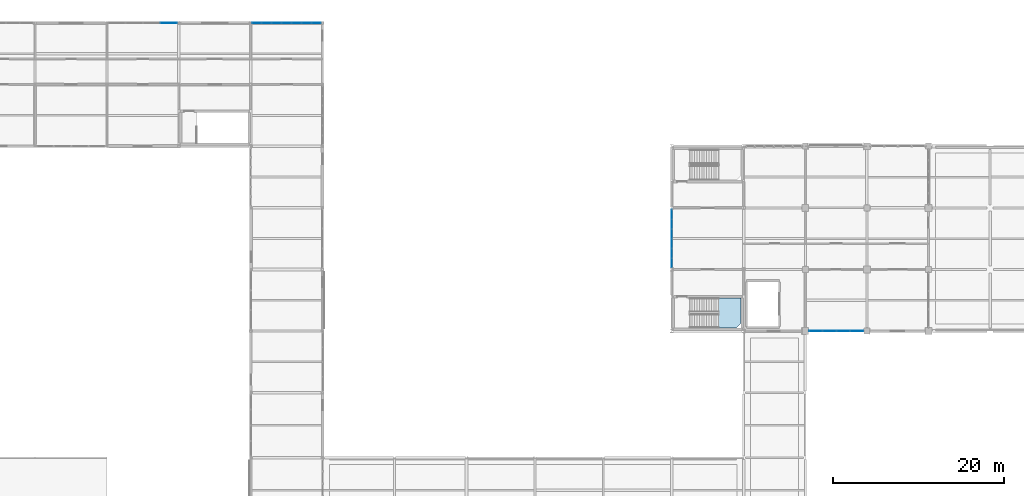
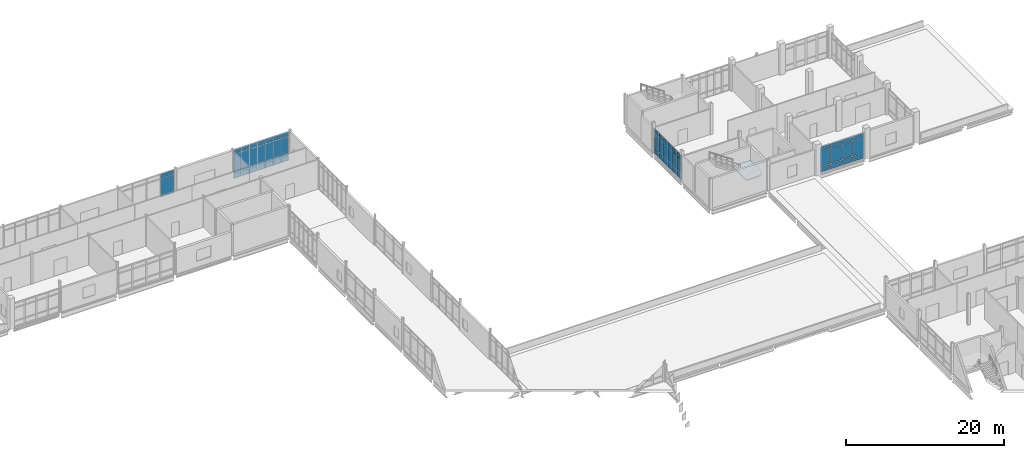
# One storey, part 103 of 153: 53 plates, 1 slab, 5 elements without a shape of their own.
"""IFC4 building model written with IfcOpenShell, lengths in metres."""

import ifcopenshell
import ifcopenshell.guid

model = None  # the IFC model being written
_history = None  # IfcOwnerHistory: only IFC2X3 demands one
_inside = {}  # id of a spatial element -> (the spatial element, [elements in it])
_under = {}  # id of a project, library or spatial element -> (it, [spatial elements below it])
_declared = {}  # id of a project -> (the project, [libraries it declares])
_typed = {}  # id of a type object -> (the type object, [elements of that type])
_made_of = {}  # id of a material, layer set ... -> (it, [elements and type objects made of it])


def new_model(schema):
    """Start an empty IFC model of exactly this schema.

    Asked for "IFC4X3", IfcOpenShell would pick the latest addendum, in which some entities
    have other attributes; the version numbers below select the first issue.
    IFC2X3 requires an IfcOwnerHistory on every rooted entity: one is made here for all.
    """
    global model, _history
    if schema == "IFC4X3":
        model = ifcopenshell.file(schema_version=(4, 3, 0, 0))
    else:
        model = ifcopenshell.file(schema=schema)
    _inside.clear()
    _under.clear()
    _declared.clear()
    _typed.clear()
    _made_of.clear()
    _history = None
    if model.schema == "IFC2X3":
        org = make("IfcOrganization", Name="unknown")
        user = make(
            "IfcPersonAndOrganization",
            ThePerson=make("IfcPerson", FamilyName="unknown"),
            TheOrganization=org,
        )
        app = make(
            "IfcApplication",
            ApplicationDeveloper=org,
            Version="unknown",
            ApplicationFullName="unknown",
            ApplicationIdentifier="unknown",
        )
        _history = make(
            "IfcOwnerHistory",
            OwningUser=user,
            OwningApplication=app,
            ChangeAction="ADDED",
            CreationDate=0,
        )
    return model


def make(cls, **values):
    """One entity of the class cls with the attributes given. An attribute that is None is left unset."""
    return model.create_entity(
        cls, **{name: value for name, value in values.items() if value is not None}
    )


def rooted(cls, **values):
    """An entity with a GlobalId (a new one), such as an element, a storey or a relation."""
    return make(cls, GlobalId=ifcopenshell.guid.new(), OwnerHistory=_history, **values)


def si_unit(unit_type, name, prefix=None):
    """IfcSIUnit, for example si_unit("LENGTHUNIT", "METRE", prefix="MILLI")."""
    return make("IfcSIUnit", UnitType=unit_type, Prefix=prefix, Name=name)


def assignment(units):
    """IfcUnitAssignment: the units of a project."""
    return None if units is None else make("IfcUnitAssignment", Units=units)


def point(xyz):
    """IfcCartesianPoint."""
    return None if xyz is None else make("IfcCartesianPoint", Coordinates=xyz)


def direction(xyz):
    """IfcDirection."""
    return None if xyz is None else make("IfcDirection", DirectionRatios=xyz)


def frame(location, z_axis=None, x_axis=None):
    """IfcAxis2Placement3D, a coordinate frame: its origin and axes. An axis left out is left unset."""
    return make(
        "IfcAxis2Placement3D",
        Location=point(location),
        Axis=direction(z_axis),
        RefDirection=direction(x_axis),
    )


def frame_2d(location, x_axis=None):
    """IfcAxis2Placement2D, a coordinate frame in the plane: its origin and x axis."""
    return make(
        "IfcAxis2Placement2D", Location=point(location), RefDirection=direction(x_axis)
    )


def origin():
    """The frame at (0, 0, 0) with its axes left unset."""
    return frame((0.0, 0.0, 0.0))


def origin_2d():
    """The frame at (0, 0) in the plane with its x axis left unset."""
    return frame_2d((0.0, 0.0))


def place(relative_to, where):
    """IfcLocalPlacement: puts the frame where relative to a parent placement (None: the world)."""
    return make(
        "IfcLocalPlacement", PlacementRelTo=relative_to, RelativePlacement=where
    )


def context(
    kind, dimensions, precision=None, world=None, true_north=None, identifier=None
):
    """IfcGeometricRepresentationContext, for example the 3D "Model" context."""
    return make(
        "IfcGeometricRepresentationContext",
        ContextIdentifier=identifier,
        ContextType=kind,
        CoordinateSpaceDimension=dimensions,
        Precision=precision,
        WorldCoordinateSystem=world,
        TrueNorth=true_north,
    )


def subcontext(parent, identifier, kind, view, scale=None):
    """IfcGeometricRepresentationSubContext, for example "Body" below "Model"."""
    return make(
        "IfcGeometricRepresentationSubContext",
        ContextIdentifier=identifier,
        ContextType=kind,
        ParentContext=parent,
        TargetScale=scale,
        TargetView=view,
    )


def project(units=None, contexts=None):
    """IfcProject with its units and contexts."""
    return rooted(
        "IfcProject",
        Name="project",
        RepresentationContexts=contexts,
        UnitsInContext=assignment(units),
    )


def spatial(cls, under=None, at=None, **own):
    """A site, building, storey or space (cls), placed at a placement, below another one or the project."""
    s = rooted(cls, ObjectPlacement=at, **own)
    if under is not None:
        _under.setdefault(under.id(), (under, []))[1].append(s)
    return s


def polyline(points):
    """IfcPolyline through the points."""
    return make("IfcPolyline", Points=[point(p) for p in points])


def profile(cls, at=None, kind="AREA", **sizes):
    """A parametric profile (cls). Its sizes go by their IFC names, for example OverallWidth=200.0."""
    return make(cls, ProfileType=kind, Position=at, **sizes)


def rectangle(**sizes):
    """IfcRectangleProfileDef."""
    return profile("IfcRectangleProfileDef", **sizes)


def outline(outer, holes=None, kind="AREA"):
    """IfcArbitraryClosedProfileDef: a profile drawn as a closed curve; with holes, ...WithVoids."""
    if holes is None:
        return make("IfcArbitraryClosedProfileDef", ProfileType=kind, OuterCurve=outer)
    return make(
        "IfcArbitraryProfileDefWithVoids",
        ProfileType=kind,
        OuterCurve=outer,
        InnerCurves=holes,
    )


def extrude(swept, where, along, depth):
    """IfcExtrudedAreaSolid: the profile swept, set in the frame where, extruded along a direction by depth."""
    return make(
        "IfcExtrudedAreaSolid",
        SweptArea=swept,
        Position=where,
        ExtrudedDirection=direction(along),
        Depth=depth,
    )


def shape(context_of_items, identifier, shape_type, items):
    """IfcShapeRepresentation: the items that make up one representation, for example the "Body"."""
    return make(
        "IfcShapeRepresentation",
        ContextOfItems=context_of_items,
        RepresentationIdentifier=identifier,
        RepresentationType=shape_type,
        Items=items,
    )


def material(Name=None, Category=None):
    """IfcMaterial."""
    return make("IfcMaterial", Name=Name, Category=Category)


def layer(
    of_material, thickness, ventilated=None, Name=None, Category=None, Priority=None
):
    """IfcMaterialLayer: one layer of a wall or slab, of a material (None: an air gap)."""
    return make(
        "IfcMaterialLayer",
        Material=of_material,
        LayerThickness=thickness,
        IsVentilated=ventilated,
        Name=Name,
        Category=Category,
        Priority=Priority,
    )


def layer_set(layers, Name=None):
    """IfcMaterialLayerSet."""
    return make("IfcMaterialLayerSet", MaterialLayers=layers, LayerSetName=Name)


def made_of(thing, what):
    """Note that an element or type object is made of a material, layer set ...; save() writes the relation."""
    if what is not None:
        _made_of.setdefault(what.id(), (what, []))[1].append(thing)
    return thing


def type_object(cls, material=None, **own):
    """A type object (cls), such as IfcWallType, which elements share."""
    return made_of(rooted(cls, **own), material)


def element(
    cls,
    number,
    at=None,
    inside=None,
    cuts=None,
    type_object=None,
    material=None,
    context=None,
    identifier="Body",
    shape_type=None,
    held_by="IfcProductDefinitionShape",
    body=None,
    shapes=None,
    **own,
):
    """One element of the class cls, such as IfcWall. Its Tag is "e" and its number.

    at: its placement. inside: the storey or other place that contains it. cuts: it is an
    opening in that element (IfcRelVoidsElement). A single representation is given by context,
    identifier, shape_type and body (its items); several are given by shapes. held_by: the class
    of the entity that holds the representations. save() writes the other relations.
    """
    e = rooted(cls, Tag="e%d" % number, ObjectPlacement=at, **own)
    if body is not None:
        shapes = [shape(context, identifier, shape_type, body)]
    if shapes is not None:
        e.Representation = make(held_by, Representations=shapes)
    if inside is not None:
        _inside.setdefault(inside.id(), (inside, []))[1].append(e)
    if cuts is not None:
        rooted(
            "IfcRelVoidsElement", RelatingBuildingElement=cuts, RelatedOpeningElement=e
        )
    if type_object is not None:
        _typed.setdefault(type_object.id(), (type_object, []))[1].append(e)
    return made_of(e, material)


def aggregate(whole, parts):
    """IfcRelAggregates: a whole, such as a stair, and the parts it consists of."""
    return rooted("IfcRelAggregates", RelatingObject=whole, RelatedObjects=parts)


def save(model, path):
    """Write the relations noted so far, then the file.

    IfcRelAggregates (storeys below a building ...), IfcRelContainedInSpatialStructure (elements
    in a storey), IfcRelDefinesByType, IfcRelAssociatesMaterial and IfcRelDeclares: one each for
    every whole, place, type object, material and project.
    """
    for whole, parts in _under.values():
        aggregate(whole, parts)
    for where, things in _inside.values():
        rooted(
            "IfcRelContainedInSpatialStructure",
            RelatedElements=things,
            RelatingStructure=where,
        )
    for kind, things in _typed.values():
        rooted("IfcRelDefinesByType", RelatedObjects=things, RelatingType=kind)
    for what, things in _made_of.values():
        rooted("IfcRelAssociatesMaterial", RelatedObjects=things, RelatingMaterial=what)
    for by, libraries in _declared.values():
        rooted("IfcRelDeclares", RelatingContext=by, RelatedDefinitions=libraries)
    model.write(path)


model = new_model("IFC4")

# Units and contexts
model_context = context("Model", 3, precision=1e-05, world=origin(), true_north=direction((0.0, 1.0)))
body_context = subcontext(model_context, "Body", "Model", "MODEL_VIEW")
ifc_project = project(units=[si_unit("LENGTHUNIT", "METRE"), si_unit("AREAUNIT", "SQUARE_METRE"), si_unit("VOLUMEUNIT", "CUBIC_METRE"), si_unit("PLANEANGLEUNIT", "RADIAN"), si_unit("MASSUNIT", "GRAM", prefix="KILO")], contexts=[model_context])

# Site, building, storey
site_placement = place(None, origin())
site = spatial("IfcSite", under=ifc_project, at=site_placement, CompositionType="ELEMENT")
building_placement = place(site_placement, origin())
building = spatial("IfcBuilding", under=site, at=building_placement, Name="Calvrana Isthmian Art Gallery", CompositionType="ELEMENT")
storey_placement = place(building_placement, frame((0.0, 0.0, 10.199951171875)))
storey = spatial("IfcBuildingStorey", under=building, at=storey_placement, Name="L02", CompositionType="ELEMENT", Elevation=10.199951171875)

# Curtain wall, plates
ifc_material_1 = material(Name="Anodized bronze aluminium 6063-T6", Category="aluminium")
ifc_layer_1 = layer(ifc_material_1, 0.179931640625, Name="Anodized bronze aluminium 6063-T6")
ifc_layer_set_1 = layer_set([ifc_layer_1], Name="Anodized bronze aluminium 6063-T6")
curtain_wall_type_1 = type_object("IfcCurtainWallType", Name="CW-STICK-068X39", PredefinedType="NOTDEFINED", material=ifc_layer_set_1)
curtain_wall_1_placement = place(storey_placement, origin())
curtain_wall_1 = element("IfcCurtainWall", 1, at=curtain_wall_1_placement, inside=storey, type_object=curtain_wall_type_1, Name="Curtain wall CW-180", PredefinedType="NOTDEFINED")
ifc_material_2 = material(Name="Polychrome glazed terracotta", Category="masonry")
ifc_layer_2 = layer(ifc_material_2, 0.033935546875, Name="Polychrome glazed terracotta")
ifc_layer_set_2 = layer_set([ifc_layer_2], Name="Polychrome glazed terracotta")
plate_type_1 = type_object("IfcPlateType", Name="CWP-SPANDREL-34", PredefinedType="CURTAIN_PANEL", material=ifc_layer_set_2)
plate_1_placement = place(storey_placement, frame((104.39990234375, 84.76611328125, 0.06005859375), z_axis=(0.0, 0.0, 1.0), x_axis=(0.0, 1.0, 0.0)))
plate_1 = element("IfcPlate", 2, at=plate_1_placement, type_object=plate_type_1, Name="CW-180 panel 1.1", PredefinedType="CURTAIN_PANEL", context=body_context, shape_type="SweptSolid", body=[
    extrude(rectangle(XDim=1.049072265625, YDim=0.033935546875, at=origin_2d()), origin(), (0.0, 0.0, 1.0), 0.81005859375),
])
plate_2_placement = place(storey_placement, frame((104.39990234375, 84.76611328125, 0.93017578125), z_axis=(0.0, 0.0, 1.0), x_axis=(0.0, 1.0, 0.0)))
plate_2 = element("IfcPlate", 3, at=plate_2_placement, type_object=plate_type_1, Name="CW-180 panel 1.2", PredefinedType="CURTAIN_PANEL", context=body_context, shape_type="SweptSolid", body=[
    extrude(rectangle(XDim=1.049072265625, YDim=0.033935546875, at=origin_2d()), origin(), (0.0, 0.0, 1.0), 2.218017578125),
])
plate_3_placement = place(storey_placement, frame((104.39990234375, 84.76611328125, 3.2080078125), z_axis=(0.0, 0.0, 1.0), x_axis=(0.0, 1.0, 0.0)))
plate_3 = element("IfcPlate", 4, at=plate_3_placement, type_object=plate_type_1, Name="CW-180 panel 1.3", PredefinedType="CURTAIN_PANEL", context=body_context, shape_type="SweptSolid", body=[
    extrude(rectangle(XDim=1.049072265625, YDim=0.033935546875, at=origin_2d()), origin(), (0.0, 0.0, 1.0), 0.659912109375),
])
plate_4_placement = place(storey_placement, frame((104.39990234375, 85.89013671875, 0.06005859375), z_axis=(0.0, 0.0, 1.0), x_axis=(0.0, 1.0, 0.0)))
plate_4 = element("IfcPlate", 5, at=plate_4_placement, type_object=plate_type_1, Name="CW-180 panel 2.1", PredefinedType="CURTAIN_PANEL", context=body_context, shape_type="SweptSolid", body=[
    extrude(rectangle(XDim=1.0791015625, YDim=0.033935546875, at=origin_2d()), origin(), (0.0, 0.0, 1.0), 0.81005859375),
])
plate_5_placement = place(storey_placement, frame((104.39990234375, 85.89013671875, 0.93017578125), z_axis=(0.0, 0.0, 1.0), x_axis=(0.0, 1.0, 0.0)))
plate_5 = element("IfcPlate", 6, at=plate_5_placement, type_object=plate_type_1, Name="CW-180 panel 2.2", PredefinedType="CURTAIN_PANEL", context=body_context, shape_type="SweptSolid", body=[
    extrude(rectangle(XDim=1.0791015625, YDim=0.033935546875, at=origin_2d()), origin(), (0.0, 0.0, 1.0), 2.218017578125),
])
plate_6_placement = place(storey_placement, frame((104.39990234375, 85.89013671875, 3.2080078125), z_axis=(0.0, 0.0, 1.0), x_axis=(0.0, 1.0, 0.0)))
plate_6 = element("IfcPlate", 7, at=plate_6_placement, type_object=plate_type_1, Name="CW-180 panel 2.3", PredefinedType="CURTAIN_PANEL", context=body_context, shape_type="SweptSolid", body=[
    extrude(rectangle(XDim=1.0791015625, YDim=0.033935546875, at=origin_2d()), origin(), (0.0, 0.0, 1.0), 0.659912109375),
])
plate_7_placement = place(storey_placement, frame((104.39990234375, 87.029296875, 0.06005859375), z_axis=(0.0, 0.0, 1.0), x_axis=(0.0, 1.0, 0.0)))
plate_7 = element("IfcPlate", 8, at=plate_7_placement, type_object=plate_type_1, Name="CW-180 panel 3.1", PredefinedType="CURTAIN_PANEL", context=body_context, shape_type="SweptSolid", body=[
    extrude(rectangle(XDim=1.0791015625, YDim=0.033935546875, at=origin_2d()), origin(), (0.0, 0.0, 1.0), 0.81005859375),
])
plate_8_placement = place(storey_placement, frame((104.39990234375, 87.029296875, 0.93017578125), z_axis=(0.0, 0.0, 1.0), x_axis=(0.0, 1.0, 0.0)))
plate_8 = element("IfcPlate", 9, at=plate_8_placement, type_object=plate_type_1, Name="CW-180 panel 3.2", PredefinedType="CURTAIN_PANEL", context=body_context, shape_type="SweptSolid", body=[
    extrude(rectangle(XDim=1.0791015625, YDim=0.033935546875, at=origin_2d()), origin(), (0.0, 0.0, 1.0), 2.218017578125),
])
plate_9_placement = place(storey_placement, frame((104.39990234375, 87.029296875, 3.2080078125), z_axis=(0.0, 0.0, 1.0), x_axis=(0.0, 1.0, 0.0)))
plate_9 = element("IfcPlate", 10, at=plate_9_placement, type_object=plate_type_1, Name="CW-180 panel 3.3", PredefinedType="CURTAIN_PANEL", context=body_context, shape_type="SweptSolid", body=[
    extrude(rectangle(XDim=1.0791015625, YDim=0.033935546875, at=origin_2d()), origin(), (0.0, 0.0, 1.0), 0.659912109375),
])
plate_10_placement = place(storey_placement, frame((104.39990234375, 88.168212890625, 0.06005859375), z_axis=(0.0, 0.0, 1.0), x_axis=(0.0, 1.0, 0.0)))
plate_10 = element("IfcPlate", 11, at=plate_10_placement, type_object=plate_type_1, Name="CW-180 panel 4.1", PredefinedType="CURTAIN_PANEL", context=body_context, shape_type="SweptSolid", body=[
    extrude(rectangle(XDim=1.0791015625, YDim=0.033935546875, at=origin_2d()), origin(), (0.0, 0.0, 1.0), 0.81005859375),
])
plate_11_placement = place(storey_placement, frame((104.39990234375, 88.168212890625, 0.93017578125), z_axis=(0.0, 0.0, 1.0), x_axis=(0.0, 1.0, 0.0)))
plate_11 = element("IfcPlate", 12, at=plate_11_placement, type_object=plate_type_1, Name="CW-180 panel 4.2", PredefinedType="CURTAIN_PANEL", context=body_context, shape_type="SweptSolid", body=[
    extrude(rectangle(XDim=1.0791015625, YDim=0.033935546875, at=origin_2d()), origin(), (0.0, 0.0, 1.0), 2.218017578125),
])
plate_12_placement = place(storey_placement, frame((104.39990234375, 88.168212890625, 3.2080078125), z_axis=(0.0, 0.0, 1.0), x_axis=(0.0, 1.0, 0.0)))
plate_12 = element("IfcPlate", 13, at=plate_12_placement, type_object=plate_type_1, Name="CW-180 panel 4.3", PredefinedType="CURTAIN_PANEL", context=body_context, shape_type="SweptSolid", body=[
    extrude(rectangle(XDim=1.0791015625, YDim=0.033935546875, at=origin_2d()), origin(), (0.0, 0.0, 1.0), 0.659912109375),
])
plate_13_placement = place(storey_placement, frame((104.39990234375, 89.307373046875, 0.06005859375), z_axis=(0.0, 0.0, 1.0), x_axis=(0.0, 1.0, 0.0)))
plate_13 = element("IfcPlate", 14, at=plate_13_placement, type_object=plate_type_1, Name="CW-180 panel 5.1", PredefinedType="CURTAIN_PANEL", context=body_context, shape_type="SweptSolid", body=[
    extrude(rectangle(XDim=1.0791015625, YDim=0.033935546875, at=origin_2d()), origin(), (0.0, 0.0, 1.0), 0.81005859375),
])
plate_14_placement = place(storey_placement, frame((104.39990234375, 89.307373046875, 0.93017578125), z_axis=(0.0, 0.0, 1.0), x_axis=(0.0, 1.0, 0.0)))
plate_14 = element("IfcPlate", 15, at=plate_14_placement, type_object=plate_type_1, Name="CW-180 panel 5.2", PredefinedType="CURTAIN_PANEL", context=body_context, shape_type="SweptSolid", body=[
    extrude(rectangle(XDim=1.0791015625, YDim=0.033935546875, at=origin_2d()), origin(), (0.0, 0.0, 1.0), 2.218017578125),
])
plate_15_placement = place(storey_placement, frame((104.39990234375, 89.307373046875, 3.2080078125), z_axis=(0.0, 0.0, 1.0), x_axis=(0.0, 1.0, 0.0)))
plate_15 = element("IfcPlate", 16, at=plate_15_placement, type_object=plate_type_1, Name="CW-180 panel 5.3", PredefinedType="CURTAIN_PANEL", context=body_context, shape_type="SweptSolid", body=[
    extrude(rectangle(XDim=1.0791015625, YDim=0.033935546875, at=origin_2d()), origin(), (0.0, 0.0, 1.0), 0.659912109375),
])
plate_16_placement = place(storey_placement, frame((104.39990234375, 90.431396484375, 0.06005859375), z_axis=(0.0, 0.0, 1.0), x_axis=(0.0, 1.0, 0.0)))
plate_16 = element("IfcPlate", 17, at=plate_16_placement, type_object=plate_type_1, Name="CW-180 panel 6.1", PredefinedType="CURTAIN_PANEL", context=body_context, shape_type="SweptSolid", body=[
    extrude(rectangle(XDim=1.049072265625, YDim=0.033935546875, at=origin_2d()), origin(), (0.0, 0.0, 1.0), 0.81005859375),
])
plate_17_placement = place(storey_placement, frame((104.39990234375, 90.431396484375, 0.93017578125), z_axis=(0.0, 0.0, 1.0), x_axis=(0.0, 1.0, 0.0)))
plate_17 = element("IfcPlate", 18, at=plate_17_placement, type_object=plate_type_1, Name="CW-180 panel 6.2", PredefinedType="CURTAIN_PANEL", context=body_context, shape_type="SweptSolid", body=[
    extrude(rectangle(XDim=1.049072265625, YDim=0.033935546875, at=origin_2d()), origin(), (0.0, 0.0, 1.0), 2.218017578125),
])
plate_18_placement = place(storey_placement, frame((104.39990234375, 90.431396484375, 3.2080078125), z_axis=(0.0, 0.0, 1.0), x_axis=(0.0, 1.0, 0.0)))
plate_18 = element("IfcPlate", 19, at=plate_18_placement, type_object=plate_type_1, Name="CW-180 panel 6.3", PredefinedType="CURTAIN_PANEL", context=body_context, shape_type="SweptSolid", body=[
    extrude(rectangle(XDim=1.049072265625, YDim=0.033935546875, at=origin_2d()), origin(), (0.0, 0.0, 1.0), 0.659912109375),
])
aggregate(curtain_wall_1, [plate_1, plate_2, plate_3, plate_4, plate_5, plate_6, plate_7, plate_8, plate_9, plate_10, plate_11, plate_12, plate_13, plate_14, plate_15, plate_16, plate_17, plate_18])

ifc_layer_3 = layer(ifc_material_1, 0.179931640625, Name="Anodized bronze aluminium 6063-T6")
ifc_layer_set_3 = layer_set([ifc_layer_3], Name="Anodized bronze aluminium 6063-T6")
curtain_wall_type_2 = type_object("IfcCurtainWallType", Name="CW-STICK-065X40", PredefinedType="NOTDEFINED", material=ifc_layer_set_3)
curtain_wall_2_placement = place(storey_placement, origin())
curtain_wall_2 = element("IfcCurtainWall", 20, at=curtain_wall_2_placement, inside=storey, type_object=curtain_wall_type_2, Name="Curtain wall CW-157", PredefinedType="NOTDEFINED")
ifc_material_3 = material(Name="Low-E laminated solar glass", Category="glass")
ifc_layer_4 = layer(ifc_material_3, 0.028076171875, Name="Low-E laminated solar glass")
ifc_layer_set_4 = layer_set([ifc_layer_4], Name="Low-E laminated solar glass")
plate_type_2 = type_object("IfcPlateType", Name="CWP-VISION-28", PredefinedType="CURTAIN_PANEL", material=ifc_layer_set_4)
plate_19_placement = place(storey_placement, frame((126.02880859375, 76.800048828125, 0.06494140625), z_axis=(0.0, 0.0, 1.0), x_axis=(-1.0, 0.0, 0.0)))
plate_19 = element("IfcPlate", 21, at=plate_19_placement, type_object=plate_type_2, Name="CW-157 panel 1.1", PredefinedType="CURTAIN_PANEL", context=body_context, shape_type="SweptSolid", body=[
    extrude(rectangle(XDim=1.5224609375, YDim=0.028076171875, at=origin_2d()), origin(), (0.0, 0.0, 1.0), 0.802490234375),
])
plate_20_placement = place(storey_placement, frame((126.02880859375, 76.800048828125, 0.9326171875), z_axis=(0.0, 0.0, 1.0), x_axis=(-1.0, 0.0, 0.0)))
plate_20 = element("IfcPlate", 22, at=plate_20_placement, type_object=plate_type_2, Name="CW-157 panel 1.2", PredefinedType="CURTAIN_PANEL", context=body_context, shape_type="SweptSolid", body=[
    extrude(rectangle(XDim=1.5224609375, YDim=0.028076171875, at=origin_2d()), origin(), (0.0, 0.0, 1.0), 2.27587890625),
])
plate_21_placement = place(storey_placement, frame((126.02880859375, 76.800048828125, 3.2734375), z_axis=(0.0, 0.0, 1.0), x_axis=(-1.0, 0.0, 0.0)))
plate_21 = element("IfcPlate", 23, at=plate_21_placement, type_object=plate_type_2, Name="CW-157 panel 1.3", PredefinedType="CURTAIN_PANEL", context=body_context, shape_type="SweptSolid", body=[
    extrude(rectangle(XDim=1.5224609375, YDim=0.028076171875, at=origin_2d()), origin(), (0.0, 0.0, 1.0), 0.652587890625),
])
plate_22_placement = place(storey_placement, frame((124.43115234375, 76.800048828125, 0.06494140625), z_axis=(0.0, 0.0, 1.0), x_axis=(-1.0, 0.0, 0.0)))
plate_22 = element("IfcPlate", 24, at=plate_22_placement, type_object=plate_type_2, Name="CW-157 panel 2.1", PredefinedType="CURTAIN_PANEL", context=body_context, shape_type="SweptSolid", body=[
    extrude(rectangle(XDim=1.552490234375, YDim=0.028076171875, at=origin_2d()), origin(), (0.0, 0.0, 1.0), 0.802490234375),
])
plate_23_placement = place(storey_placement, frame((124.43115234375, 76.800048828125, 0.9326171875), z_axis=(0.0, 0.0, 1.0), x_axis=(-1.0, 0.0, 0.0)))
plate_23 = element("IfcPlate", 25, at=plate_23_placement, type_object=plate_type_2, Name="CW-157 panel 2.2", PredefinedType="CURTAIN_PANEL", context=body_context, shape_type="SweptSolid", body=[
    extrude(rectangle(XDim=1.552490234375, YDim=0.028076171875, at=origin_2d()), origin(), (0.0, 0.0, 1.0), 2.27587890625),
])
plate_24_placement = place(storey_placement, frame((124.43115234375, 76.800048828125, 3.2734375), z_axis=(0.0, 0.0, 1.0), x_axis=(-1.0, 0.0, 0.0)))
plate_24 = element("IfcPlate", 26, at=plate_24_placement, type_object=plate_type_2, Name="CW-157 panel 2.3", PredefinedType="CURTAIN_PANEL", context=body_context, shape_type="SweptSolid", body=[
    extrude(rectangle(XDim=1.552490234375, YDim=0.028076171875, at=origin_2d()), origin(), (0.0, 0.0, 1.0), 0.652587890625),
])
plate_25_placement = place(storey_placement, frame((122.81884765625, 76.800048828125, 0.06494140625), z_axis=(0.0, 0.0, 1.0), x_axis=(-1.0, 0.0, 0.0)))
plate_25 = element("IfcPlate", 27, at=plate_25_placement, type_object=plate_type_2, Name="CW-157 panel 3.1", PredefinedType="CURTAIN_PANEL", context=body_context, shape_type="SweptSolid", body=[
    extrude(rectangle(XDim=1.552490234375, YDim=0.028076171875, at=origin_2d()), origin(), (0.0, 0.0, 1.0), 0.802490234375),
])
plate_26_placement = place(storey_placement, frame((122.81884765625, 76.800048828125, 0.9326171875), z_axis=(0.0, 0.0, 1.0), x_axis=(-1.0, 0.0, 0.0)))
plate_26 = element("IfcPlate", 28, at=plate_26_placement, type_object=plate_type_2, Name="CW-157 panel 3.2", PredefinedType="CURTAIN_PANEL", context=body_context, shape_type="SweptSolid", body=[
    extrude(rectangle(XDim=1.552490234375, YDim=0.028076171875, at=origin_2d()), origin(), (0.0, 0.0, 1.0), 2.27587890625),
])
plate_27_placement = place(storey_placement, frame((122.81884765625, 76.800048828125, 3.2734375), z_axis=(0.0, 0.0, 1.0), x_axis=(-1.0, 0.0, 0.0)))
plate_27 = element("IfcPlate", 29, at=plate_27_placement, type_object=plate_type_2, Name="CW-157 panel 3.3", PredefinedType="CURTAIN_PANEL", context=body_context, shape_type="SweptSolid", body=[
    extrude(rectangle(XDim=1.552490234375, YDim=0.028076171875, at=origin_2d()), origin(), (0.0, 0.0, 1.0), 0.652587890625),
])
plate_28_placement = place(storey_placement, frame((121.22119140625, 76.800048828125, 0.06494140625), z_axis=(0.0, 0.0, 1.0), x_axis=(-1.0, 0.0, 0.0)))
plate_28 = element("IfcPlate", 30, at=plate_28_placement, type_object=plate_type_2, Name="CW-157 panel 4.1", PredefinedType="CURTAIN_PANEL", context=body_context, shape_type="SweptSolid", body=[
    extrude(rectangle(XDim=1.5224609375, YDim=0.028076171875, at=origin_2d()), origin(), (0.0, 0.0, 1.0), 0.802490234375),
])
plate_29_placement = place(storey_placement, frame((121.22119140625, 76.800048828125, 0.9326171875), z_axis=(0.0, 0.0, 1.0), x_axis=(-1.0, 0.0, 0.0)))
plate_29 = element("IfcPlate", 31, at=plate_29_placement, type_object=plate_type_2, Name="CW-157 panel 4.2", PredefinedType="CURTAIN_PANEL", context=body_context, shape_type="SweptSolid", body=[
    extrude(rectangle(XDim=1.5224609375, YDim=0.028076171875, at=origin_2d()), origin(), (0.0, 0.0, 1.0), 2.27587890625),
])
plate_30_placement = place(storey_placement, frame((121.22119140625, 76.800048828125, 3.2734375), z_axis=(0.0, 0.0, 1.0), x_axis=(-1.0, 0.0, 0.0)))
plate_30 = element("IfcPlate", 32, at=plate_30_placement, type_object=plate_type_2, Name="CW-157 panel 4.3", PredefinedType="CURTAIN_PANEL", context=body_context, shape_type="SweptSolid", body=[
    extrude(rectangle(XDim=1.5224609375, YDim=0.028076171875, at=origin_2d()), origin(), (0.0, 0.0, 1.0), 0.652587890625),
])
aggregate(curtain_wall_2, [plate_19, plate_20, plate_21, plate_22, plate_23, plate_24, plate_25, plate_26, plate_27, plate_28, plate_29, plate_30])

ifc_layer_5 = layer(ifc_material_1, 0.179931640625, Name="Anodized bronze aluminium 6063-T6")
ifc_layer_set_5 = layer_set([ifc_layer_5], Name="Anodized bronze aluminium 6063-T6")
curtain_wall_type_3 = type_object("IfcCurtainWallType", Name="CW-UNIT-082X46", PredefinedType="USERDEFINED", material=ifc_layer_set_5)
curtain_wall_3_placement = place(storey_placement, origin())
curtain_wall_3 = element("IfcCurtainWall", 33, at=curtain_wall_3_placement, inside=storey, type_object=curtain_wall_type_3, Name="Curtain wall CW-163", ObjectType="UNITISED CURTAIN WALL", PredefinedType="USERDEFINED")
plate_31_placement = place(storey_placement, frame((45.636474609375, 112.800048828125, 0.93505859375), z_axis=(0.0, 0.0, 1.0), x_axis=(1.0, 0.0, 0.0)))
plate_31 = element("IfcPlate", 34, at=plate_31_placement, type_object=plate_type_2, Name="CW-163 panel 4.2", PredefinedType="CURTAIN_PANEL", context=body_context, shape_type="SweptSolid", body=[
    extrude(rectangle(XDim=1.952880859375, YDim=0.028076171875, at=origin_2d()), origin(), (0.0, 0.0, 1.0), 2.840087890625),
])
plate_32_placement = place(storey_placement, frame((45.636474609375, 112.800048828125, 3.844970703125), z_axis=(0.0, 0.0, 1.0), x_axis=(1.0, 0.0, 0.0)))
plate_32 = element("IfcPlate", 35, at=plate_32_placement, type_object=plate_type_2, Name="CW-163 panel 4.3", PredefinedType="CURTAIN_PANEL", context=body_context, shape_type="SweptSolid", body=[
    extrude(rectangle(XDim=1.952880859375, YDim=0.028076171875, at=origin_2d()), origin(), (0.0, 0.0, 1.0), 0.64501953125),
])
aggregate(curtain_wall_3, [plate_31, plate_32])

ifc_layer_6 = layer(ifc_material_1, 0.179931640625, Name="Anodized bronze aluminium 6063-T6")
ifc_layer_set_6 = layer_set([ifc_layer_6], Name="Anodized bronze aluminium 6063-T6")
curtain_wall_type_4 = type_object("IfcCurtainWallType", Name="CW-STICK-081X46", PredefinedType="NOTDEFINED", material=ifc_layer_set_6)
curtain_wall_4_placement = place(storey_placement, origin())
curtain_wall_4 = element("IfcCurtainWall", 36, at=curtain_wall_4_placement, inside=storey, type_object=curtain_wall_type_4, Name="Curtain wall CW-164", PredefinedType="NOTDEFINED")
plate_33_placement = place(storey_placement, frame((55.899658203125, 112.800048828125, 0.074951171875), z_axis=(0.0, 0.0, 1.0), x_axis=(1.0, 0.0, 0.0)))
plate_33 = element("IfcPlate", 37, at=plate_33_placement, type_object=plate_type_2, Name="CW-164 panel 1.1", PredefinedType="CURTAIN_PANEL", context=body_context, shape_type="SweptSolid", body=[
    extrude(rectangle(XDim=1.066162109375, YDim=0.028076171875, at=origin_2d()), origin(), (0.0, 0.0, 1.0), 0.78759765625),
])
plate_34_placement = place(storey_placement, frame((55.899658203125, 112.800048828125, 0.9375), z_axis=(0.0, 0.0, 1.0), x_axis=(1.0, 0.0, 0.0)))
plate_34 = element("IfcPlate", 38, at=plate_34_placement, type_object=plate_type_2, Name="CW-164 panel 1.2", PredefinedType="CURTAIN_PANEL", context=body_context, shape_type="SweptSolid", body=[
    extrude(rectangle(XDim=1.066162109375, YDim=0.028076171875, at=origin_2d()), origin(), (0.0, 0.0, 1.0), 2.8349609375),
])
plate_35_placement = place(storey_placement, frame((55.899658203125, 112.800048828125, 3.84765625), z_axis=(0.0, 0.0, 1.0), x_axis=(1.0, 0.0, 0.0)))
plate_35 = element("IfcPlate", 39, at=plate_35_placement, type_object=plate_type_2, Name="CW-164 panel 1.3", PredefinedType="CURTAIN_PANEL", context=body_context, shape_type="SweptSolid", body=[
    extrude(rectangle(XDim=1.066162109375, YDim=0.028076171875, at=origin_2d()), origin(), (0.0, 0.0, 1.0), 0.637451171875),
])
plate_36_placement = place(storey_placement, frame((57.047119140625, 112.800048828125, 0.074951171875), z_axis=(0.0, 0.0, 1.0), x_axis=(1.0, 0.0, 0.0)))
plate_36 = element("IfcPlate", 40, at=plate_36_placement, type_object=plate_type_2, Name="CW-164 panel 2.1", PredefinedType="CURTAIN_PANEL", context=body_context, shape_type="SweptSolid", body=[
    extrude(rectangle(XDim=1.0986328125, YDim=0.028076171875, at=origin_2d()), origin(), (0.0, 0.0, 1.0), 0.78759765625),
])
plate_37_placement = place(storey_placement, frame((57.047119140625, 112.800048828125, 0.9375), z_axis=(0.0, 0.0, 1.0), x_axis=(1.0, 0.0, 0.0)))
plate_37 = element("IfcPlate", 41, at=plate_37_placement, type_object=plate_type_2, Name="CW-164 panel 2.2", PredefinedType="CURTAIN_PANEL", context=body_context, shape_type="SweptSolid", body=[
    extrude(rectangle(XDim=1.0986328125, YDim=0.028076171875, at=origin_2d()), origin(), (0.0, 0.0, 1.0), 2.8349609375),
])
plate_38_placement = place(storey_placement, frame((57.047119140625, 112.800048828125, 3.84765625), z_axis=(0.0, 0.0, 1.0), x_axis=(1.0, 0.0, 0.0)))
plate_38 = element("IfcPlate", 42, at=plate_38_placement, type_object=plate_type_2, Name="CW-164 panel 2.3", PredefinedType="CURTAIN_PANEL", context=body_context, shape_type="SweptSolid", body=[
    extrude(rectangle(XDim=1.0986328125, YDim=0.028076171875, at=origin_2d()), origin(), (0.0, 0.0, 1.0), 0.637451171875),
])
plate_39_placement = place(storey_placement, frame((58.2109375, 112.800048828125, 0.074951171875), z_axis=(0.0, 0.0, 1.0), x_axis=(1.0, 0.0, 0.0)))
plate_39 = element("IfcPlate", 43, at=plate_39_placement, type_object=plate_type_2, Name="CW-164 panel 3.1", PredefinedType="CURTAIN_PANEL", context=body_context, shape_type="SweptSolid", body=[
    extrude(rectangle(XDim=1.0986328125, YDim=0.028076171875, at=origin_2d()), origin(), (0.0, 0.0, 1.0), 0.78759765625),
])
plate_40_placement = place(storey_placement, frame((58.2109375, 112.800048828125, 0.9375), z_axis=(0.0, 0.0, 1.0), x_axis=(1.0, 0.0, 0.0)))
plate_40 = element("IfcPlate", 44, at=plate_40_placement, type_object=plate_type_2, Name="CW-164 panel 3.2", PredefinedType="CURTAIN_PANEL", context=body_context, shape_type="SweptSolid", body=[
    extrude(rectangle(XDim=1.0986328125, YDim=0.028076171875, at=origin_2d()), origin(), (0.0, 0.0, 1.0), 2.8349609375),
])
plate_41_placement = place(storey_placement, frame((58.2109375, 112.800048828125, 3.84765625), z_axis=(0.0, 0.0, 1.0), x_axis=(1.0, 0.0, 0.0)))
plate_41 = element("IfcPlate", 45, at=plate_41_placement, type_object=plate_type_2, Name="CW-164 panel 3.3", PredefinedType="CURTAIN_PANEL", context=body_context, shape_type="SweptSolid", body=[
    extrude(rectangle(XDim=1.0986328125, YDim=0.028076171875, at=origin_2d()), origin(), (0.0, 0.0, 1.0), 0.637451171875),
])
plate_42_placement = place(storey_placement, frame((59.37451171875, 112.800048828125, 0.074951171875), z_axis=(0.0, 0.0, 1.0), x_axis=(1.0, 0.0, 0.0)))
plate_42 = element("IfcPlate", 46, at=plate_42_placement, type_object=plate_type_2, Name="CW-164 panel 4.1", PredefinedType="CURTAIN_PANEL", context=body_context, shape_type="SweptSolid", body=[
    extrude(rectangle(XDim=1.0986328125, YDim=0.028076171875, at=origin_2d()), origin(), (0.0, 0.0, 1.0), 0.78759765625),
])
plate_43_placement = place(storey_placement, frame((59.37451171875, 112.800048828125, 0.9375), z_axis=(0.0, 0.0, 1.0), x_axis=(1.0, 0.0, 0.0)))
plate_43 = element("IfcPlate", 47, at=plate_43_placement, type_object=plate_type_2, Name="CW-164 panel 4.2", PredefinedType="CURTAIN_PANEL", context=body_context, shape_type="SweptSolid", body=[
    extrude(rectangle(XDim=1.0986328125, YDim=0.028076171875, at=origin_2d()), origin(), (0.0, 0.0, 1.0), 2.8349609375),
])
plate_44_placement = place(storey_placement, frame((59.37451171875, 112.800048828125, 3.84765625), z_axis=(0.0, 0.0, 1.0), x_axis=(1.0, 0.0, 0.0)))
plate_44 = element("IfcPlate", 48, at=plate_44_placement, type_object=plate_type_2, Name="CW-164 panel 4.3", PredefinedType="CURTAIN_PANEL", context=body_context, shape_type="SweptSolid", body=[
    extrude(rectangle(XDim=1.0986328125, YDim=0.028076171875, at=origin_2d()), origin(), (0.0, 0.0, 1.0), 0.637451171875),
])
plate_45_placement = place(storey_placement, frame((60.538330078125, 112.800048828125, 0.074951171875), z_axis=(0.0, 0.0, 1.0), x_axis=(1.0, 0.0, 0.0)))
plate_45 = element("IfcPlate", 49, at=plate_45_placement, type_object=plate_type_2, Name="CW-164 panel 5.1", PredefinedType="CURTAIN_PANEL", context=body_context, shape_type="SweptSolid", body=[
    extrude(rectangle(XDim=1.0986328125, YDim=0.028076171875, at=origin_2d()), origin(), (0.0, 0.0, 1.0), 0.78759765625),
])
plate_46_placement = place(storey_placement, frame((60.538330078125, 112.800048828125, 0.9375), z_axis=(0.0, 0.0, 1.0), x_axis=(1.0, 0.0, 0.0)))
plate_46 = element("IfcPlate", 50, at=plate_46_placement, type_object=plate_type_2, Name="CW-164 panel 5.2", PredefinedType="CURTAIN_PANEL", context=body_context, shape_type="SweptSolid", body=[
    extrude(rectangle(XDim=1.0986328125, YDim=0.028076171875, at=origin_2d()), origin(), (0.0, 0.0, 1.0), 2.8349609375),
])
plate_47_placement = place(storey_placement, frame((60.538330078125, 112.800048828125, 3.84765625), z_axis=(0.0, 0.0, 1.0), x_axis=(1.0, 0.0, 0.0)))
plate_47 = element("IfcPlate", 51, at=plate_47_placement, type_object=plate_type_2, Name="CW-164 panel 5.3", PredefinedType="CURTAIN_PANEL", context=body_context, shape_type="SweptSolid", body=[
    extrude(rectangle(XDim=1.0986328125, YDim=0.028076171875, at=origin_2d()), origin(), (0.0, 0.0, 1.0), 0.637451171875),
])
plate_48_placement = place(storey_placement, frame((61.7021484375, 112.800048828125, 0.074951171875), z_axis=(0.0, 0.0, 1.0), x_axis=(1.0, 0.0, 0.0)))
plate_48 = element("IfcPlate", 52, at=plate_48_placement, type_object=plate_type_2, Name="CW-164 panel 6.1", PredefinedType="CURTAIN_PANEL", context=body_context, shape_type="SweptSolid", body=[
    extrude(rectangle(XDim=1.0986328125, YDim=0.028076171875, at=origin_2d()), origin(), (0.0, 0.0, 1.0), 0.78759765625),
])
plate_49_placement = place(storey_placement, frame((61.7021484375, 112.800048828125, 0.9375), z_axis=(0.0, 0.0, 1.0), x_axis=(1.0, 0.0, 0.0)))
plate_49 = element("IfcPlate", 53, at=plate_49_placement, type_object=plate_type_2, Name="CW-164 panel 6.2", PredefinedType="CURTAIN_PANEL", context=body_context, shape_type="SweptSolid", body=[
    extrude(rectangle(XDim=1.0986328125, YDim=0.028076171875, at=origin_2d()), origin(), (0.0, 0.0, 1.0), 2.8349609375),
])
plate_50_placement = place(storey_placement, frame((61.7021484375, 112.800048828125, 3.84765625), z_axis=(0.0, 0.0, 1.0), x_axis=(1.0, 0.0, 0.0)))
plate_50 = element("IfcPlate", 54, at=plate_50_placement, type_object=plate_type_2, Name="CW-164 panel 6.3", PredefinedType="CURTAIN_PANEL", context=body_context, shape_type="SweptSolid", body=[
    extrude(rectangle(XDim=1.0986328125, YDim=0.028076171875, at=origin_2d()), origin(), (0.0, 0.0, 1.0), 0.637451171875),
])
plate_51_placement = place(storey_placement, frame((62.849609375, 112.800048828125, 0.074951171875), z_axis=(0.0, 0.0, 1.0), x_axis=(1.0, 0.0, 0.0)))
plate_51 = element("IfcPlate", 55, at=plate_51_placement, type_object=plate_type_2, Name="CW-164 panel 7.1", PredefinedType="CURTAIN_PANEL", context=body_context, shape_type="SweptSolid", body=[
    extrude(rectangle(XDim=1.066162109375, YDim=0.028076171875, at=origin_2d()), origin(), (0.0, 0.0, 1.0), 0.78759765625),
])
plate_52_placement = place(storey_placement, frame((62.849609375, 112.800048828125, 0.9375), z_axis=(0.0, 0.0, 1.0), x_axis=(1.0, 0.0, 0.0)))
plate_52 = element("IfcPlate", 56, at=plate_52_placement, type_object=plate_type_2, Name="CW-164 panel 7.2", PredefinedType="CURTAIN_PANEL", context=body_context, shape_type="SweptSolid", body=[
    extrude(rectangle(XDim=1.066162109375, YDim=0.028076171875, at=origin_2d()), origin(), (0.0, 0.0, 1.0), 2.8349609375),
])
plate_53_placement = place(storey_placement, frame((62.849609375, 112.800048828125, 3.84765625), z_axis=(0.0, 0.0, 1.0), x_axis=(1.0, 0.0, 0.0)))
plate_53 = element("IfcPlate", 57, at=plate_53_placement, type_object=plate_type_2, Name="CW-164 panel 7.3", PredefinedType="CURTAIN_PANEL", context=body_context, shape_type="SweptSolid", body=[
    extrude(rectangle(XDim=1.066162109375, YDim=0.028076171875, at=origin_2d()), origin(), (0.0, 0.0, 1.0), 0.637451171875),
])
aggregate(curtain_wall_4, [plate_33, plate_34, plate_35, plate_36, plate_37, plate_38, plate_39, plate_40, plate_41, plate_42, plate_43, plate_44, plate_45, plate_46, plate_47, plate_48, plate_49, plate_50, plate_51, plate_52, plate_53])

# Stair, slab
ifc_material_4 = material(Name="Concrete C40/50", Category="concrete")
stair_type = type_object("IfcStairType", Name="STR-HT-480", PredefinedType="HALF_TURN_STAIR", material=ifc_material_4)
stair_placement = place(storey_placement, origin())
stair = element("IfcStair", 58, at=stair_placement, inside=storey, type_object=stair_type, Name="Protected exit stair ST-5 (L02)", PredefinedType="HALF_TURN_STAIR")
ifc_layer_7 = layer(ifc_material_4, 0.199951171875, Name="Concrete C40/50")
ifc_layer_set_7 = layer_set([ifc_layer_7], Name="Concrete C40/50")
slab_type = type_object("IfcSlabType", Name="SLB-LAND-200", PredefinedType="LANDING", material=ifc_layer_set_7)
slab_placement = place(storey_placement, frame((0.0, 0.0, 2.199951171875)))
slab = element("IfcSlab", 59, at=slab_placement, type_object=slab_type, Name="ST-5 landing 1", PredefinedType="LANDING", context=body_context, shape_type="SweptSolid", body=[
    extrude(outline(polyline([(109.860107421875, 77.14990234375), (111.93994140625, 77.14990234375), (112.4599609375, 77.669921875), (112.4599609375, 80.669921875), (109.860107421875, 80.669921875), (109.860107421875, 77.14990234375)])), origin(), (0.0, 0.0, 1.0), 0.2001953125),
])
aggregate(stair, [slab])

save(model, "model.ifc")
